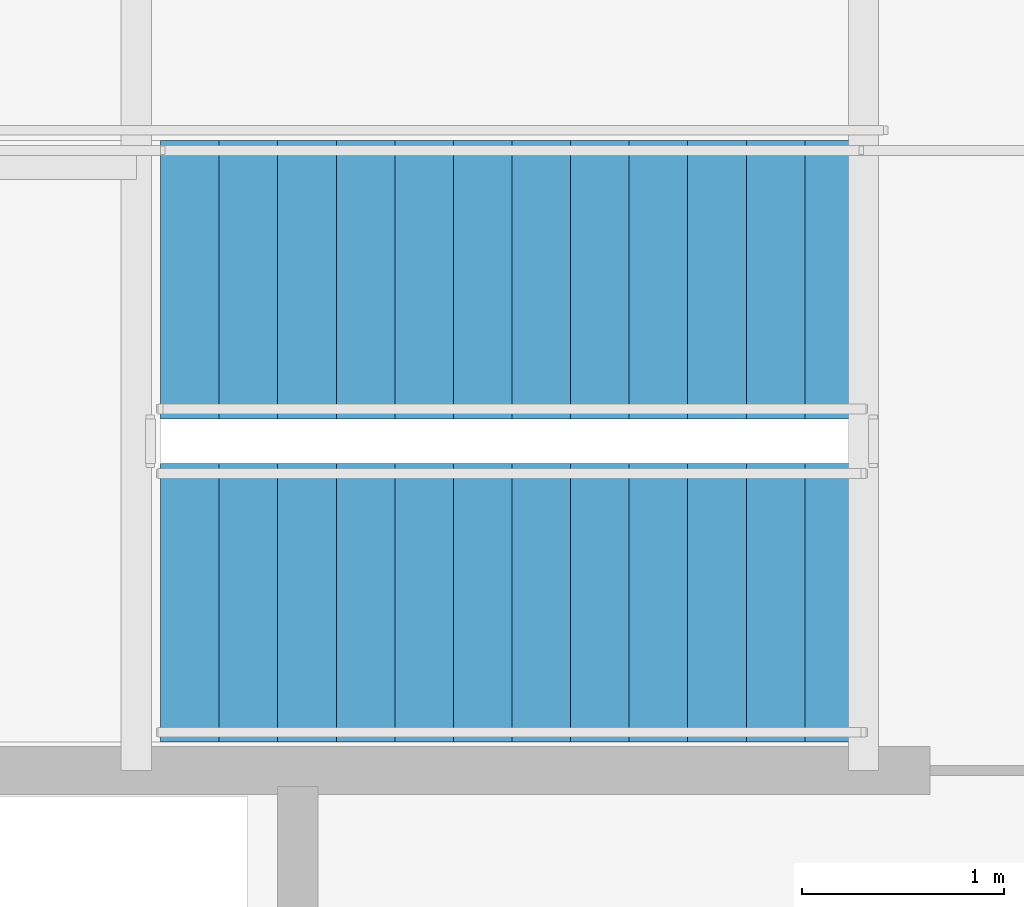
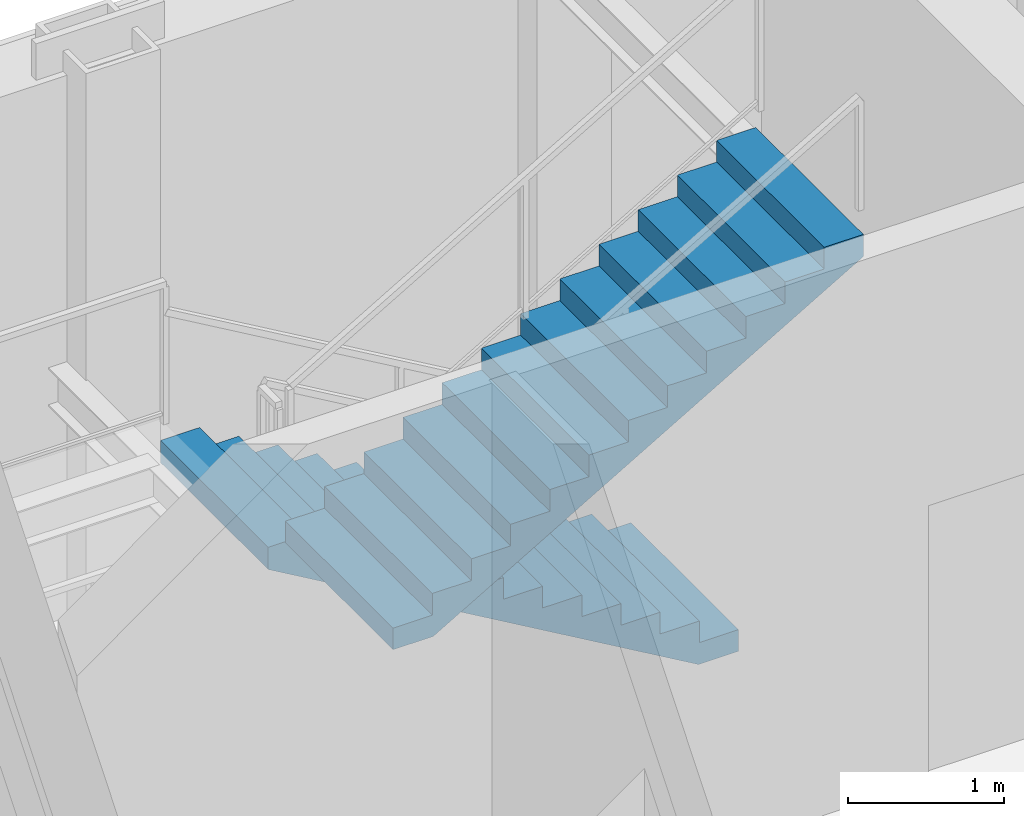
# One storey, part 25 of 27: 2 stair flights, 1 element without a shape of its own.
"""IFC4 building model written with IfcOpenShell, lengths in metres."""

from ifc_helpers import new_model, si_unit, direction, frame, origin, place, context, subcontext, project, spatial, polyline, outline, extrude, material, type_object, element, aggregate, save


model = new_model("IFC4")

# Units and contexts
model_context = context("Model", 3, precision=1e-05, world=origin(), true_north=direction((0.0, 1.0)))
body_context = subcontext(model_context, "Body", "Model", "MODEL_VIEW")
ifc_project = project(units=[si_unit("LENGTHUNIT", "METRE"), si_unit("AREAUNIT", "SQUARE_METRE"), si_unit("VOLUMEUNIT", "CUBIC_METRE"), si_unit("PLANEANGLEUNIT", "RADIAN"), si_unit("MASSUNIT", "GRAM", prefix="KILO")], contexts=[model_context])

# Site, building, storey
site_placement = place(None, origin())
site = spatial("IfcSite", under=ifc_project, at=site_placement, CompositionType="ELEMENT")
building_placement = place(site_placement, origin())
building = spatial("IfcBuilding", under=site, at=building_placement, Name="Khoronbel Lancet Exchange", CompositionType="ELEMENT")
storey_placement = place(building_placement, frame((0.0, 0.0, 310.199951171875)))
storey = spatial("IfcBuildingStorey", under=building, at=storey_placement, Name="L80", CompositionType="ELEMENT", Elevation=310.199951171875)

# Stair, stair flights
ifc_material = material(Name="Concrete C40/50", Category="concrete")
stair_type = type_object("IfcStairType", Name="STR-CORE150", PredefinedType="HALF_TURN_STAIR", material=ifc_material)
stair_placement = place(storey_placement, origin())
stair = element("IfcStair", 1, at=stair_placement, inside=storey, type_object=stair_type, Name="L80 Protected Exit Stair ST2", PredefinedType="HALF_TURN_STAIR")
stair_flight_type = type_object("IfcStairFlightType", Name="STF-150", PredefinedType="STRAIGHT", material=ifc_material)
stair_flight_1_placement = place(storey_placement, frame((54.60009765625, 51.409912109375, 0.0), z_axis=(0.0, 0.0, 1.0), x_axis=(-1.0, 0.0, 0.0)))
stair_flight_1 = element("IfcStairFlight", 2, at=stair_flight_1_placement, type_object=stair_flight_type, Name="ST2 flight 1", NumberOfRisers=13, NumberOfTreads=12, PredefinedType="STRAIGHT", RiserHeight=0.169230769, TreadLength=0.29, context=body_context, shape_type="SweptSolid", body=[
    extrude(outline(polyline([(0.0, 0.0), (0.0, 0.169189453125), (0.2900390625, 0.169189453125), (0.2900390625, 0.33837890625), (0.580078125, 0.33837890625), (0.580078125, 0.5078125), (0.8701171875, 0.5078125), (0.8701171875, 0.677001953125), (1.159912109375, 0.677001953125), (1.159912109375, 0.84619140625), (1.449951171875, 0.84619140625), (1.449951171875, 1.015380859375), (1.739990234375, 1.015380859375), (1.739990234375, 1.1845703125), (2.030029296875, 1.1845703125), (2.030029296875, 1.353759765625), (2.320068359375, 1.353759765625), (2.320068359375, 1.523193359375), (2.610107421875, 1.523193359375), (2.610107421875, 1.6923828125), (2.89990234375, 1.6923828125), (2.89990234375, 1.861572265625), (3.18994140625, 1.861572265625), (3.18994140625, 2.03076171875), (3.47998046875, 2.03076171875), (3.47998046875, 2.199951171875), (3.47998046875, 1.857177734375), (0.29736328125, 0.0), (0.0, 0.0)])), frame((0.0, 0.68994140625, 0.0), z_axis=(0.0, -1.0, 0.0), x_axis=(1.0, 0.0, 0.0)), (0.0, 0.0, 1.0), 1.3798828125),
])
stair_flight_2_placement = place(storey_placement, frame((51.1201171875, 49.81005859375, 2.199951171875), z_axis=(0.0, 0.0, 1.0), x_axis=(1.0, 0.0, 0.0)))
stair_flight_2 = element("IfcStairFlight", 3, at=stair_flight_2_placement, type_object=stair_flight_type, Name="ST2 flight 2", NumberOfRisers=13, NumberOfTreads=12, PredefinedType="STRAIGHT", RiserHeight=0.169230769, TreadLength=0.29, context=body_context, shape_type="SweptSolid", body=[
    extrude(outline(polyline([(0.0, 0.0), (0.0, 0.169189453125), (0.2900390625, 0.169189453125), (0.2900390625, 0.33837890625), (0.580078125, 0.33837890625), (0.580078125, 0.5078125), (0.8701171875, 0.5078125), (0.8701171875, 0.677001953125), (1.159912109375, 0.677001953125), (1.159912109375, 0.84619140625), (1.449951171875, 0.84619140625), (1.449951171875, 1.015380859375), (1.739990234375, 1.015380859375), (1.739990234375, 1.1845703125), (2.030029296875, 1.1845703125), (2.030029296875, 1.353759765625), (2.320068359375, 1.353759765625), (2.320068359375, 1.523193359375), (2.610107421875, 1.523193359375), (2.610107421875, 1.6923828125), (2.89990234375, 1.6923828125), (2.89990234375, 1.861572265625), (3.18994140625, 1.861572265625), (3.18994140625, 2.03076171875), (3.47998046875, 2.03076171875), (3.47998046875, 2.199951171875), (3.47998046875, 1.857177734375), (0.29736328125, 0.0), (0.0, 0.0)])), frame((0.0, 0.68994140625, 0.0), z_axis=(0.0, -1.0, 0.0), x_axis=(1.0, 0.0, 0.0)), (0.0, 0.0, 1.0), 1.3798828125),
])
aggregate(stair, [stair_flight_1, stair_flight_2])

save(model, "model.ifc")
